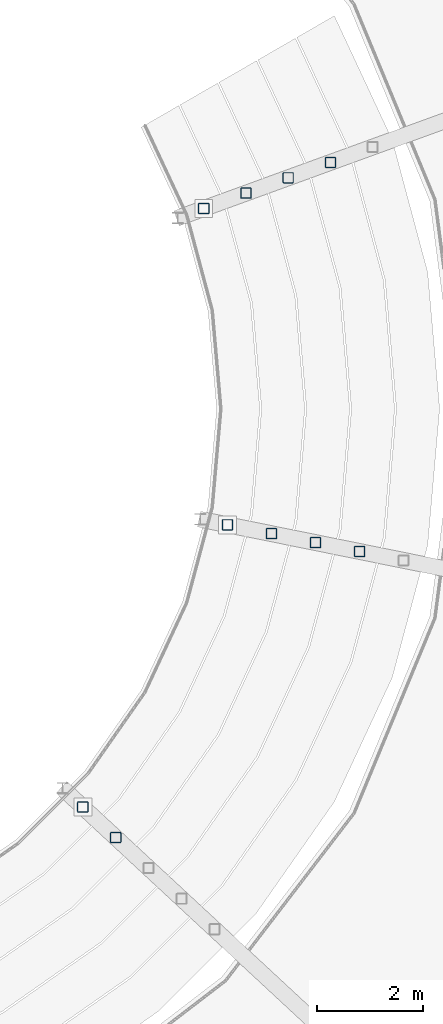
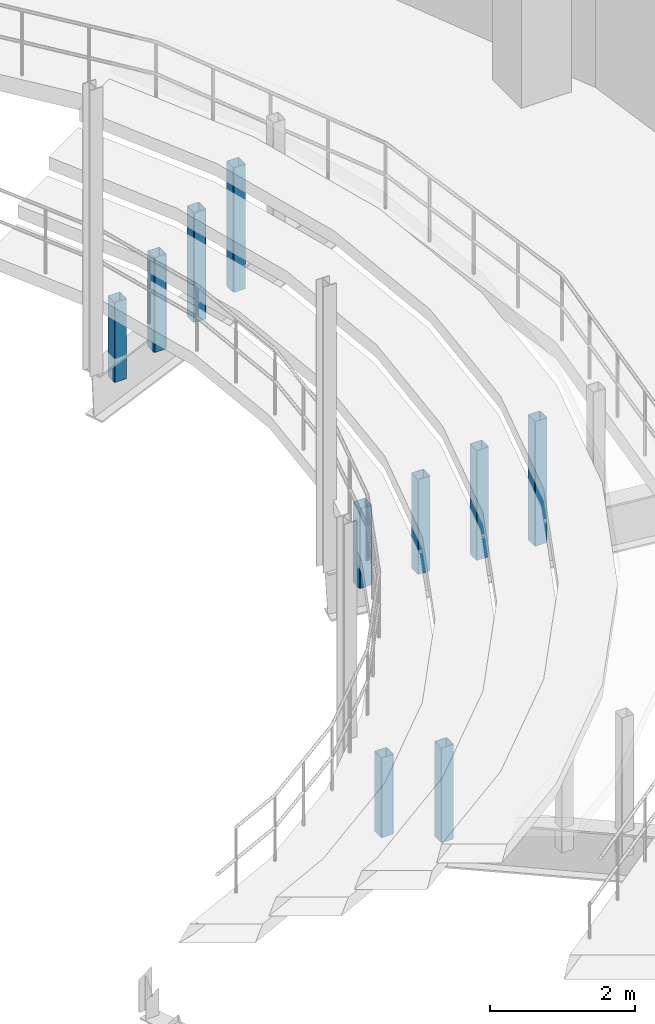
# One storey, part 37 of 93: 10 members.
"""IFC4 building model written with IfcOpenShell, lengths in metres."""

from ifc_helpers import new_model, si_unit, direction, frame, origin, origin_2d, place, context, subcontext, project, spatial, hollow_rectangle, extrude, material, material_profile, profile_set, type_object, element, save


model = new_model("IFC4")

# Units and contexts
model_context = context("Model", 3, precision=1e-05, world=origin(), true_north=direction((0.0, 1.0)))
body_context = subcontext(model_context, "Body", "Model", "MODEL_VIEW")
ifc_project = project(units=[si_unit("LENGTHUNIT", "METRE"), si_unit("AREAUNIT", "SQUARE_METRE"), si_unit("VOLUMEUNIT", "CUBIC_METRE"), si_unit("PLANEANGLEUNIT", "RADIAN"), si_unit("MASSUNIT", "GRAM", prefix="KILO")], contexts=[model_context])

# Site, building, storey
site_placement = place(None, origin())
site = spatial("IfcSite", under=ifc_project, at=site_placement, CompositionType="ELEMENT")
building_placement = place(site_placement, origin())
building = spatial("IfcBuilding", under=site, at=building_placement, Name="Marnock Terrace Opera House", CompositionType="ELEMENT")
storey_placement = place(building_placement, frame((0.0, 0.0, 5.39990234375)))
storey = spatial("IfcBuildingStorey", under=building, at=storey_placement, Name="L01", CompositionType="ELEMENT", Elevation=5.39990234375)

# Members
ifc_material = material(Name="Cold-formed Steel Grade C350L0 (AS/NZS 1163)", Category="steel")
ifc_material_profile = material_profile(ifc_material, hollow_rectangle(XDim=0.199951171875, YDim=0.199951171875, WallThickness=0.009033203125, InnerFilletRadius=0.009033203125, OuterFilletRadius=0.01806640625, at=origin_2d()))
ifc_profile_set = profile_set([ifc_material_profile], Name="Cold-formed Steel Grade C350L0 (AS/NZS 1163)")
member_type = type_object("IfcMemberType", Name="MEM-TRUSS-WEB2", PredefinedType="BRACE", material=ifc_profile_set)
member_1_placement = place(storey_placement, frame((90.118408203125, 52.967041015625, -1.208251953125), z_axis=(0.0, 0.0, 1.0), x_axis=(1.0, 0.0, 0.0)))
element("IfcMember", 1, at=member_1_placement, inside=storey, type_object=member_type, Name="L01 Auditorium tier support post 6.1", PredefinedType="BRACE", context=body_context, shape_type="SweptSolid", body=[
    extrude(hollow_rectangle(XDim=0.199951171875, YDim=0.199951171875, WallThickness=0.009033203125, InnerFilletRadius=0.009033203125, OuterFilletRadius=0.01806640625, at=origin_2d()), origin(), (0.0, 0.0, 1.0), 1.34326171875),
])
member_2_placement = place(storey_placement, frame((90.74169921875, 52.388916015625, -1.160400390625), z_axis=(0.0, 0.0, 1.0), x_axis=(1.0, 0.0, 0.0)))
element("IfcMember", 2, at=member_2_placement, inside=storey, type_object=member_type, Name="L01 Auditorium tier support post 6.2", PredefinedType="BRACE", context=body_context, shape_type="SweptSolid", body=[
    extrude(hollow_rectangle(XDim=0.199951171875, YDim=0.199951171875, WallThickness=0.009033203125, InnerFilletRadius=0.009033203125, OuterFilletRadius=0.01806640625, at=origin_2d()), origin(), (0.0, 0.0, 1.0), 1.595458984375),
])
member_3_placement = place(storey_placement, frame((92.85546875, 58.305419921875, -1.208251953125), z_axis=(0.0, 0.0, 1.0), x_axis=(1.0, 0.0, 0.0)))
element("IfcMember", 3, at=member_3_placement, inside=storey, type_object=member_type, Name="L01 Auditorium tier support post 7.1", PredefinedType="BRACE", context=body_context, shape_type="SweptSolid", body=[
    extrude(hollow_rectangle(XDim=0.199951171875, YDim=0.199951171875, WallThickness=0.009033203125, InnerFilletRadius=0.009033203125, OuterFilletRadius=0.01806640625, at=origin_2d()), origin(), (0.0, 0.0, 1.0), 1.34326171875),
])
member_4_placement = place(storey_placement, frame((93.688720703125, 58.13720703125, -1.160400390625), z_axis=(0.0, 0.0, 1.0), x_axis=(1.0, 0.0, 0.0)))
element("IfcMember", 4, at=member_4_placement, inside=storey, type_object=member_type, Name="L01 Auditorium tier support post 7.2", PredefinedType="BRACE", context=body_context, shape_type="SweptSolid", body=[
    extrude(hollow_rectangle(XDim=0.199951171875, YDim=0.199951171875, WallThickness=0.009033203125, InnerFilletRadius=0.009033203125, OuterFilletRadius=0.01806640625, at=origin_2d()), origin(), (0.0, 0.0, 1.0), 1.595458984375),
])
member_5_placement = place(storey_placement, frame((94.521728515625, 57.96875, -1.112548828125), z_axis=(0.0, 0.0, 1.0), x_axis=(1.0, 0.0, 0.0)))
element("IfcMember", 5, at=member_5_placement, inside=storey, type_object=member_type, Name="L01 Auditorium tier support post 7.3", PredefinedType="BRACE", context=body_context, shape_type="SweptSolid", body=[
    extrude(hollow_rectangle(XDim=0.199951171875, YDim=0.199951171875, WallThickness=0.009033203125, InnerFilletRadius=0.009033203125, OuterFilletRadius=0.01806640625, at=origin_2d()), origin(), (0.0, 0.0, 1.0), 1.84765625),
])
member_6_placement = place(storey_placement, frame((95.35498046875, 57.80029296875, -1.064697265625), z_axis=(0.0, 0.0, 1.0), x_axis=(1.0, 0.0, 0.0)))
element("IfcMember", 6, at=member_6_placement, inside=storey, type_object=member_type, Name="L01 Auditorium tier support post 7.4", PredefinedType="BRACE", context=body_context, shape_type="SweptSolid", body=[
    extrude(hollow_rectangle(XDim=0.199951171875, YDim=0.199951171875, WallThickness=0.009033203125, InnerFilletRadius=0.009033203125, OuterFilletRadius=0.01806640625, at=origin_2d()), origin(), (0.0, 0.0, 1.0), 2.099853515625),
])
member_7_placement = place(storey_placement, frame((92.406982421875, 64.287841796875, -1.208251953125), z_axis=(0.0, 0.0, 1.0), x_axis=(1.0, 0.0, 0.0)))
element("IfcMember", 7, at=member_7_placement, inside=storey, type_object=member_type, Name="L01 Auditorium tier support post 8.1", PredefinedType="BRACE", context=body_context, shape_type="SweptSolid", body=[
    extrude(hollow_rectangle(XDim=0.199951171875, YDim=0.199951171875, WallThickness=0.009033203125, InnerFilletRadius=0.009033203125, OuterFilletRadius=0.01806640625, at=origin_2d()), origin(), (0.0, 0.0, 1.0), 1.34326171875),
])
member_8_placement = place(storey_placement, frame((93.205810546875, 64.57861328125, -1.160400390625), z_axis=(0.0, 0.0, 1.0), x_axis=(1.0, 0.0, 0.0)))
element("IfcMember", 8, at=member_8_placement, inside=storey, type_object=member_type, Name="L01 Auditorium tier support post 8.2", PredefinedType="BRACE", context=body_context, shape_type="SweptSolid", body=[
    extrude(hollow_rectangle(XDim=0.199951171875, YDim=0.199951171875, WallThickness=0.009033203125, InnerFilletRadius=0.009033203125, OuterFilletRadius=0.01806640625, at=origin_2d()), origin(), (0.0, 0.0, 1.0), 1.595458984375),
])
member_9_placement = place(storey_placement, frame((94.004638671875, 64.869384765625, -1.112548828125), z_axis=(0.0, 0.0, 1.0), x_axis=(1.0, 0.0, 0.0)))
element("IfcMember", 9, at=member_9_placement, inside=storey, type_object=member_type, Name="L01 Auditorium tier support post 8.3", PredefinedType="BRACE", context=body_context, shape_type="SweptSolid", body=[
    extrude(hollow_rectangle(XDim=0.199951171875, YDim=0.199951171875, WallThickness=0.009033203125, InnerFilletRadius=0.009033203125, OuterFilletRadius=0.01806640625, at=origin_2d()), origin(), (0.0, 0.0, 1.0), 1.84765625),
])
member_10_placement = place(storey_placement, frame((94.80322265625, 65.159912109375, -1.064697265625), z_axis=(0.0, 0.0, 1.0), x_axis=(1.0, 0.0, 0.0)))
element("IfcMember", 10, at=member_10_placement, inside=storey, type_object=member_type, Name="L01 Auditorium tier support post 8.4", PredefinedType="BRACE", context=body_context, shape_type="SweptSolid", body=[
    extrude(hollow_rectangle(XDim=0.199951171875, YDim=0.199951171875, WallThickness=0.009033203125, InnerFilletRadius=0.009033203125, OuterFilletRadius=0.01806640625, at=origin_2d()), origin(), (0.0, 0.0, 1.0), 2.099853515625),
])

save(model, "model.ifc")
